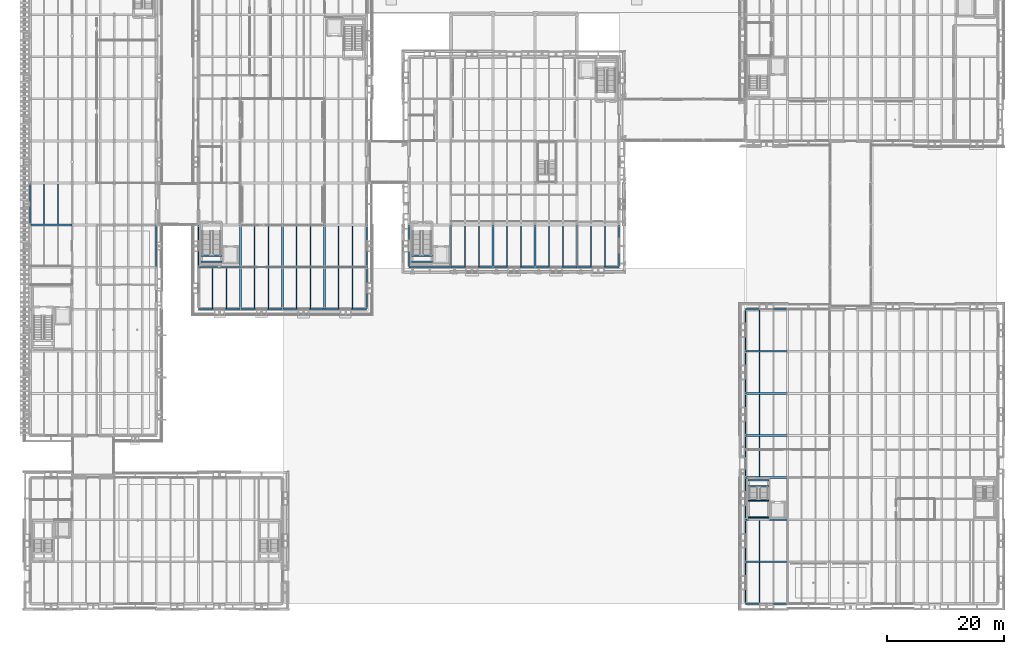
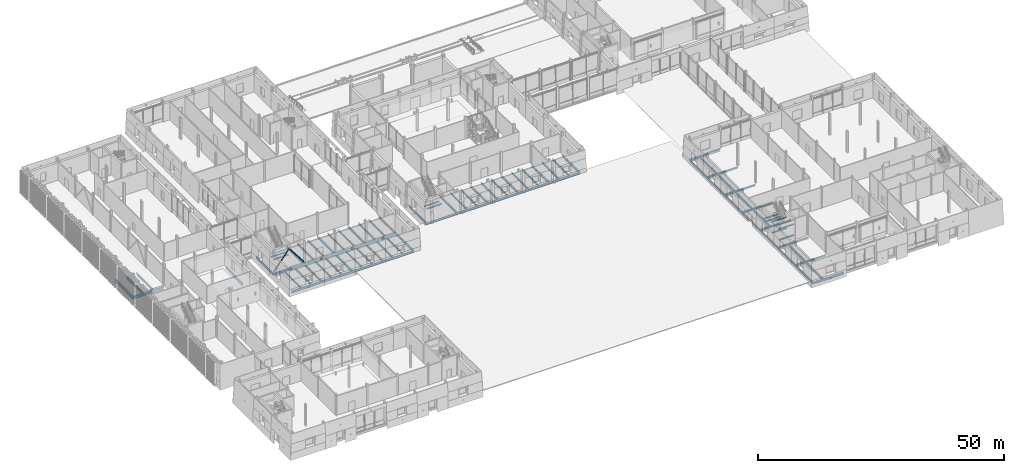
# One storey, part 24 of 120: 86 beams, 2 members.
"""IFC4 building model written with IfcOpenShell, lengths in metres."""

from ifc_helpers import new_model, si_unit, direction, frame, origin, origin_2d, place, context, subcontext, project, spatial, hollow_circle, i_section, extrude, material, material_profile, profile_set, type_object, element, save


model = new_model("IFC4")

# Units and contexts
model_context = context("Model", 3, precision=1e-05, world=origin(), true_north=direction((0.0, 1.0)))
body_context = subcontext(model_context, "Body", "Model", "MODEL_VIEW")
ifc_project = project(units=[si_unit("LENGTHUNIT", "METRE"), si_unit("AREAUNIT", "SQUARE_METRE"), si_unit("VOLUMEUNIT", "CUBIC_METRE"), si_unit("PLANEANGLEUNIT", "RADIAN"), si_unit("MASSUNIT", "GRAM", prefix="KILO")], contexts=[model_context])

# Site, building, storey
site_placement = place(None, origin())
site = spatial("IfcSite", under=ifc_project, at=site_placement, CompositionType="ELEMENT")
building_placement = place(site_placement, origin())
building = spatial("IfcBuilding", under=site, at=building_placement, Name="Narikvali Park Central Library", CompositionType="ELEMENT")
storey_placement = place(building_placement, origin())
storey = spatial("IfcBuildingStorey", under=building, at=storey_placement, Name="L00", CompositionType="ELEMENT", Elevation=0.0)

# Beams
ifc_material = material(Name="Steel S355", Category="steel")
ifc_material_profile_1 = material_profile(ifc_material, i_section(OverallWidth=0.2099609375, OverallDepth=0.550048828125, WebThickness=0.010986328125, FlangeThickness=0.01708984375, FilletRadius=0.02392578125, at=origin_2d()), Name="IPE 550")
ifc_profile_set_1 = profile_set([ifc_material_profile_1], Name="Steel S355")
beam_type_1 = type_object("IfcBeamType", Name="Assembly Floor Joist IPE550", PredefinedType="JOIST", material=ifc_profile_set_1)
beam_1_placement = place(storey_placement, frame((124.800048828125, 0.10498046875, -0.594970703125), z_axis=(0.0, 1.0, 0.0), x_axis=(-1.0, 0.0, 0.0)))
element("IfcBeam", 1, at=beam_1_placement, inside=storey, type_object=beam_type_1, Name="V6 L00 Composite Joist 1", PredefinedType="JOIST", context=body_context, shape_type="SweptSolid", body=[
    extrude(i_section(OverallWidth=0.2099609375, OverallDepth=0.550048828125, WebThickness=0.010986328125, FlangeThickness=0.01708984375, FilletRadius=0.02392578125, at=origin_2d()), origin(), (0.0, 0.0, 1.0), 6.945068359375),
])
for number, where, z_axis, x_axis, name in (
    (2, (124.800048828125, 7.35009765625, -0.594970703125), (0.0, 1.0, 0.0), (-1.0, 0.0, 0.0), "V6 L00 Composite Joist 1"),
    (3, (124.800048828125, 21.75, -0.594970703125), (0.0, 1.0, 0.0), (-1.0, 0.0, 0.0), "V6 L00 Composite Joist 1"),
):
    element("IfcBeam", number, at=place(storey_placement, frame(where, z_axis=z_axis, x_axis=x_axis)), inside=storey, type_object=beam_type_1, Name=name, PredefinedType="JOIST", context=body_context, shape_type="SweptSolid", body=[
        extrude(i_section(OverallWidth=0.2099609375, OverallDepth=0.550048828125, WebThickness=0.010986328125, FlangeThickness=0.01708984375, FilletRadius=0.02392578125, at=origin_2d()), origin(), (0.0, 0.0, 1.0), 6.89990234375),
    ])
for number, where, z_axis, x_axis, name in (
    (4, (124.800048828125, 28.949951171875, -0.594970703125), (0.0, 1.0, 0.0), (-1.0, 0.0, 0.0), "V6 L00 Composite Joist 1"),
    (5, (124.800048828125, 36.14990234375, -0.594970703125), (0.0, 1.0, 0.0), (-1.0, 0.0, 0.0), "V6 L00 Composite Joist 1"),
):
    element("IfcBeam", number, at=place(storey_placement, frame(where, z_axis=z_axis, x_axis=x_axis)), inside=storey, type_object=beam_type_1, Name=name, PredefinedType="JOIST", context=body_context, shape_type="SweptSolid", body=[
        extrude(i_section(OverallWidth=0.2099609375, OverallDepth=0.550048828125, WebThickness=0.010986328125, FlangeThickness=0.01708984375, FilletRadius=0.02392578125, at=origin_2d()), origin(), (0.0, 0.0, 1.0), 6.900146484375),
    ])
beam_2_placement = place(storey_placement, frame((124.800048828125, 43.35009765625, -0.594970703125), z_axis=(0.0, 1.0, 0.0), x_axis=(-1.0, 0.0, 0.0)))
element("IfcBeam", 6, at=beam_2_placement, inside=storey, type_object=beam_type_1, Name="V6 L00 Composite Joist 1", PredefinedType="JOIST", context=body_context, shape_type="SweptSolid", body=[
    extrude(i_section(OverallWidth=0.2099609375, OverallDepth=0.550048828125, WebThickness=0.010986328125, FlangeThickness=0.01708984375, FilletRadius=0.02392578125, at=origin_2d()), origin(), (0.0, 0.0, 1.0), 6.94482421875),
])
ifc_material_profile_2 = material_profile(ifc_material, i_section(OverallWidth=0.219970703125, OverallDepth=0.60009765625, WebThickness=0.011962890625, FlangeThickness=0.01904296875, FilletRadius=0.02392578125, at=origin_2d()), Name="IPE 600")
ifc_profile_set_2 = profile_set([ifc_material_profile_2], Name="Steel S355")
beam_type_2 = type_object("IfcBeamType", Name="Compact Archive Joist IPE600", PredefinedType="JOIST", material=ifc_profile_set_2)
for number, where, z_axis, x_axis, name in (
    (7, (2.39990234375, 64.949951171875, -0.6201171875), (0.0, 1.0, 0.0), (-1.0, 0.0, 0.0), "V5 L00 Composite Joist 1"),
    (8, (4.800048828125, 64.949951171875, -0.6201171875), (0.0, 1.0, 0.0), (-1.0, 0.0, 0.0), "V5 L00 Composite Joist 2"),
):
    element("IfcBeam", number, at=place(storey_placement, frame(where, z_axis=z_axis, x_axis=x_axis)), inside=storey, type_object=beam_type_2, Name=name, PredefinedType="JOIST", context=body_context, shape_type="SweptSolid", body=[
        extrude(i_section(OverallWidth=0.219970703125, OverallDepth=0.60009765625, WebThickness=0.011962890625, FlangeThickness=0.01904296875, FilletRadius=0.02392578125, at=origin_2d()), origin(), (0.0, 0.0, 1.0), 6.900146484375),
    ])
ifc_material_profile_3 = material_profile(ifc_material, i_section(OverallWidth=0.18994140625, OverallDepth=0.449951171875, WebThickness=0.009521484375, FlangeThickness=0.0146484375, FilletRadius=0.02099609375, at=origin_2d()), Name="IPE 450")
ifc_profile_set_3 = profile_set([ifc_material_profile_3], Name="Steel S355")
beam_type_3 = type_object("IfcBeamType", Name="Composite Floor Joist IPE450", PredefinedType="JOIST", material=ifc_profile_set_3)
for number, where, z_axis, x_axis, name in (
    (9, (31.199951171875, 50.5048828125, -0.544921875), (0.0, 1.0, 0.0), (-1.0, 0.0, 0.0), "V4 L00 Composite Joist 1"),
    (10, (33.60009765625, 50.5048828125, -0.544921875), (0.0, 1.0, 0.0), (-1.0, 0.0, 0.0), "V4 L00 Composite Joist 2"),
    (11, (38.39990234375, 50.5048828125, -0.544921875), (0.0, 1.0, 0.0), (-1.0, 0.0, 0.0), "V4 L00 Composite Joist 1"),
    (12, (40.800048828125, 50.5048828125, -0.544921875), (0.0, 1.0, 0.0), (-1.0, 0.0, 0.0), "V4 L00 Composite Joist 2"),
):
    element("IfcBeam", number, at=place(storey_placement, frame(where, z_axis=z_axis, x_axis=x_axis)), inside=storey, type_object=beam_type_3, Name=name, PredefinedType="JOIST", context=body_context, shape_type="SweptSolid", body=[
        extrude(i_section(OverallWidth=0.18994140625, OverallDepth=0.449951171875, WebThickness=0.009521484375, FlangeThickness=0.0146484375, FilletRadius=0.02099609375, at=origin_2d()), origin(), (0.0, 0.0, 1.0), 6.945068359375),
    ])
for number, where, z_axis, x_axis, name in (
    (13, (38.39990234375, 57.75, -0.544921875), (0.0, 1.0, 0.0), (-1.0, 0.0, 0.0), "V4 L00 Composite Joist 1"),
    (14, (40.800048828125, 57.75, -0.544921875), (0.0, 1.0, 0.0), (-1.0, 0.0, 0.0), "V4 L00 Composite Joist 2"),
):
    element("IfcBeam", number, at=place(storey_placement, frame(where, z_axis=z_axis, x_axis=x_axis)), inside=storey, type_object=beam_type_3, Name=name, PredefinedType="JOIST", context=body_context, shape_type="SweptSolid", body=[
        extrude(i_section(OverallWidth=0.18994140625, OverallDepth=0.449951171875, WebThickness=0.009521484375, FlangeThickness=0.0146484375, FilletRadius=0.02099609375, at=origin_2d()), origin(), (0.0, 0.0, 1.0), 6.89990234375),
    ])
for number, where, z_axis, x_axis, name in (
    (15, (45.60009765625, 50.5048828125, -0.544921875), (0.0, 1.0, 0.0), (-1.0, 0.0, 0.0), "V4 L00 Composite Joist 1"),
    (16, (48.0, 50.5048828125, -0.544921875), (0.0, 1.0, 0.0), (-1.0, 0.0, 0.0), "V4 L00 Composite Joist 2"),
):
    element("IfcBeam", number, at=place(storey_placement, frame(where, z_axis=z_axis, x_axis=x_axis)), inside=storey, type_object=beam_type_3, Name=name, PredefinedType="JOIST", context=body_context, shape_type="SweptSolid", body=[
        extrude(i_section(OverallWidth=0.18994140625, OverallDepth=0.449951171875, WebThickness=0.009521484375, FlangeThickness=0.0146484375, FilletRadius=0.02099609375, at=origin_2d()), origin(), (0.0, 0.0, 1.0), 6.945068359375),
    ])
for number, where, z_axis, x_axis, name in (
    (17, (45.60009765625, 57.75, -0.544921875), (0.0, 1.0, 0.0), (-1.0, 0.0, 0.0), "V4 L00 Composite Joist 1"),
    (18, (48.0, 57.75, -0.544921875), (0.0, 1.0, 0.0), (-1.0, 0.0, 0.0), "V4 L00 Composite Joist 2"),
):
    element("IfcBeam", number, at=place(storey_placement, frame(where, z_axis=z_axis, x_axis=x_axis)), inside=storey, type_object=beam_type_3, Name=name, PredefinedType="JOIST", context=body_context, shape_type="SweptSolid", body=[
        extrude(i_section(OverallWidth=0.18994140625, OverallDepth=0.449951171875, WebThickness=0.009521484375, FlangeThickness=0.0146484375, FilletRadius=0.02099609375, at=origin_2d()), origin(), (0.0, 0.0, 1.0), 6.89990234375),
    ])
for number, where, z_axis, x_axis, name in (
    (19, (52.800048828125, 50.5048828125, -0.544921875), (0.0, 1.0, 0.0), (-1.0, 0.0, 0.0), "V4 L00 Composite Joist 1"),
    (20, (55.199951171875, 50.5048828125, -0.544921875), (0.0, 1.0, 0.0), (-1.0, 0.0, 0.0), "V4 L00 Composite Joist 2"),
):
    element("IfcBeam", number, at=place(storey_placement, frame(where, z_axis=z_axis, x_axis=x_axis)), inside=storey, type_object=beam_type_3, Name=name, PredefinedType="JOIST", context=body_context, shape_type="SweptSolid", body=[
        extrude(i_section(OverallWidth=0.18994140625, OverallDepth=0.449951171875, WebThickness=0.009521484375, FlangeThickness=0.0146484375, FilletRadius=0.02099609375, at=origin_2d()), origin(), (0.0, 0.0, 1.0), 6.945068359375),
    ])
for number, where, z_axis, x_axis, name in (
    (21, (52.800048828125, 57.75, -0.544921875), (0.0, 1.0, 0.0), (-1.0, 0.0, 0.0), "V4 L00 Composite Joist 1"),
    (22, (55.199951171875, 57.75, -0.544921875), (0.0, 1.0, 0.0), (-1.0, 0.0, 0.0), "V4 L00 Composite Joist 2"),
):
    element("IfcBeam", number, at=place(storey_placement, frame(where, z_axis=z_axis, x_axis=x_axis)), inside=storey, type_object=beam_type_3, Name=name, PredefinedType="JOIST", context=body_context, shape_type="SweptSolid", body=[
        extrude(i_section(OverallWidth=0.18994140625, OverallDepth=0.449951171875, WebThickness=0.009521484375, FlangeThickness=0.0146484375, FilletRadius=0.02099609375, at=origin_2d()), origin(), (0.0, 0.0, 1.0), 6.89990234375),
    ])
ifc_material_profile_4 = material_profile(ifc_material, i_section(OverallWidth=0.19189453125, OverallDepth=0.4560546875, WebThickness=0.010986328125, FlangeThickness=0.017578125, FilletRadius=0.02099609375, at=origin_2d()), Name="IPEO 450")
ifc_profile_set_4 = profile_set([ifc_material_profile_4], Name="Steel S355")
beam_type_4 = type_object("IfcBeamType", Name="Concourse Floor Joist IPEO450", PredefinedType="JOIST", material=ifc_profile_set_4)
for number, where, z_axis, x_axis, name in (
    (23, (74.39990234375, 57.705078125, -0.548095703125), (0.0, 1.0, 0.0), (-1.0, 0.0, 0.0), "V1 L00 Composite Joist 1"),
    (24, (76.800048828125, 57.705078125, -0.548095703125), (0.0, 1.0, 0.0), (-1.0, 0.0, 0.0), "V1 L00 Composite Joist 2"),
    (25, (81.60009765625, 57.705078125, -0.548095703125), (0.0, 1.0, 0.0), (-1.0, 0.0, 0.0), "V1 L00 Composite Joist 1"),
    (26, (84.0, 57.705078125, -0.548095703125), (0.0, 1.0, 0.0), (-1.0, 0.0, 0.0), "V1 L00 Composite Joist 2"),
    (27, (88.800048828125, 57.705078125, -0.548095703125), (0.0, 1.0, 0.0), (-1.0, 0.0, 0.0), "V1 L00 Composite Joist 1"),
    (28, (91.199951171875, 57.705078125, -0.548095703125), (0.0, 1.0, 0.0), (-1.0, 0.0, 0.0), "V1 L00 Composite Joist 2"),
    (29, (96.0, 57.705078125, -0.548095703125), (0.0, 1.0, 0.0), (-1.0, 0.0, 0.0), "V1 L00 Composite Joist 1"),
    (30, (98.39990234375, 57.705078125, -0.548095703125), (0.0, 1.0, 0.0), (-1.0, 0.0, 0.0), "V1 L00 Composite Joist 2"),
):
    element("IfcBeam", number, at=place(storey_placement, frame(where, z_axis=z_axis, x_axis=x_axis)), inside=storey, type_object=beam_type_4, Name=name, PredefinedType="JOIST", context=body_context, shape_type="SweptSolid", body=[
        extrude(i_section(OverallWidth=0.19189453125, OverallDepth=0.4560546875, WebThickness=0.010986328125, FlangeThickness=0.017578125, FilletRadius=0.02099609375, at=origin_2d()), origin(), (0.0, 0.0, 1.0), 6.94482421875),
    ])
ifc_material_profile_5 = material_profile(ifc_material, i_section(OverallWidth=0.239990234375, OverallDepth=0.239990234375, WebThickness=0.010009765625, FlangeThickness=0.01708984375, FilletRadius=0.02099609375, at=origin_2d()), Name="HEB 240")
ifc_profile_set_5 = profile_set([ifc_material_profile_5], Name="Steel S355")
beam_type_5 = type_object("IfcBeamType", Name="Core Trimmer Girder HEB240", PredefinedType="BEAM", material=ifc_profile_set_5)
for number, where, z_axis, x_axis, name in (
    (31, (29.27001953125, 58.52001953125, 2.3798828125), (1.0, 0.0, 0.0), (0.0, 1.0, 0.0), "ST-07 L00 Landing Trimmer Beam 1-1"),
    (32, (29.27001953125, 59.5400390625, 2.3798828125), (1.0, 0.0, 0.0), (0.0, 1.0, 0.0), "ST-07 L00 Landing Trimmer Beam 1-2"),
):
    element("IfcBeam", number, at=place(storey_placement, frame(where, z_axis=z_axis, x_axis=x_axis)), inside=storey, type_object=beam_type_5, Name=name, PredefinedType="BEAM", context=body_context, shape_type="SweptSolid", body=[
        extrude(i_section(OverallWidth=0.239990234375, OverallDepth=0.239990234375, WebThickness=0.010009765625, FlangeThickness=0.01708984375, FilletRadius=0.02099609375, at=origin_2d()), origin(), (0.0, 0.0, 1.0), 3.56005859375),
    ])
for number, where, z_axis, x_axis, name in (
    (33, (122.8701171875, 14.77001953125, 3.72998046875), (1.0, 0.0, 0.0), (0.0, 1.0, 0.0), "ST-11 L00 Landing Trimmer Beam 3-1"),
    (34, (122.8701171875, 17.68505859375, 3.72998046875), (1.0, 0.0, 0.0), (0.0, 1.0, 0.0), "ST-11 L00 Landing Trimmer Beam 3-2"),
):
    element("IfcBeam", number, at=place(storey_placement, frame(where, z_axis=z_axis, x_axis=x_axis)), inside=storey, type_object=beam_type_5, Name=name, PredefinedType="BEAM", context=body_context, shape_type="SweptSolid", body=[
        extrude(i_section(OverallWidth=0.239990234375, OverallDepth=0.239990234375, WebThickness=0.010009765625, FlangeThickness=0.01708984375, FilletRadius=0.02099609375, at=origin_2d()), origin(), (0.0, 0.0, 1.0), 3.559814453125),
    ])
ifc_material_profile_6 = material_profile(ifc_material, i_section(OverallWidth=0.260009765625, OverallDepth=0.260009765625, WebThickness=0.010009765625, FlangeThickness=0.017578125, FilletRadius=0.02392578125, at=origin_2d()), Name="HEB 260")
ifc_profile_set_6 = profile_set([ifc_material_profile_6], Name="Steel S355")
beam_type_6 = type_object("IfcBeamType", Name="Core Trimmer Girder HEB260", PredefinedType="BEAM", material=ifc_profile_set_6)
for number, where, z_axis, x_axis, name in (
    (35, (65.27001953125, 58.52001953125, 2.3701171875), (1.0, 0.0, 0.0), (0.0, 1.0, 0.0), "ST-01 L00 Landing Trimmer Beam 1-1"),
    (36, (65.27001953125, 59.5400390625, 2.3701171875), (1.0, 0.0, 0.0), (0.0, 1.0, 0.0), "ST-01 L00 Landing Trimmer Beam 1-2"),
):
    element("IfcBeam", number, at=place(storey_placement, frame(where, z_axis=z_axis, x_axis=x_axis)), inside=storey, type_object=beam_type_6, Name=name, PredefinedType="BEAM", context=body_context, shape_type="SweptSolid", body=[
        extrude(i_section(OverallWidth=0.260009765625, OverallDepth=0.260009765625, WebThickness=0.010009765625, FlangeThickness=0.017578125, FilletRadius=0.02392578125, at=origin_2d()), origin(), (0.0, 0.0, 1.0), 3.56005859375),
    ])
for number, where, z_axis, x_axis, name in (
    (37, (122.8701171875, 20.1201171875, 2.3701171875), (1.0, 0.0, 0.0), (0.0, 1.0, 0.0), "ST-11 L00 Landing Trimmer Beam 2-1"),
    (38, (122.8701171875, 21.1298828125, 2.3701171875), (1.0, 0.0, 0.0), (0.0, 1.0, 0.0), "ST-11 L00 Landing Trimmer Beam 2-2"),
):
    element("IfcBeam", number, at=place(storey_placement, frame(where, z_axis=z_axis, x_axis=x_axis)), inside=storey, type_object=beam_type_6, Name=name, PredefinedType="BEAM", context=body_context, shape_type="SweptSolid", body=[
        extrude(i_section(OverallWidth=0.260009765625, OverallDepth=0.260009765625, WebThickness=0.010009765625, FlangeThickness=0.017578125, FilletRadius=0.02392578125, at=origin_2d()), origin(), (0.0, 0.0, 1.0), 3.559814453125),
    ])
ifc_material_profile_7 = material_profile(ifc_material, i_section(OverallWidth=0.280029296875, OverallDepth=0.280029296875, WebThickness=0.010498046875, FlangeThickness=0.01806640625, FilletRadius=0.02392578125, at=origin_2d()), Name="HEB 280")
ifc_profile_set_7 = profile_set([ifc_material_profile_7], Name="Steel S355")
beam_type_7 = type_object("IfcBeamType", Name="Core Trimmer Girder HEB280", PredefinedType="BEAM", material=ifc_profile_set_7)
for number, where, z_axis, x_axis, name in (
    (39, (122.8701171875, 14.77001953125, 1.010009765625), (1.0, 0.0, 0.0), (0.0, 1.0, 0.0), "ST-11 L00 Landing Trimmer Beam 1-1"),
    (40, (122.8701171875, 17.68505859375, 1.010009765625), (1.0, 0.0, 0.0), (0.0, 1.0, 0.0), "ST-11 L00 Landing Trimmer Beam 1-2"),
):
    element("IfcBeam", number, at=place(storey_placement, frame(where, z_axis=z_axis, x_axis=x_axis)), inside=storey, type_object=beam_type_7, Name=name, PredefinedType="BEAM", context=body_context, shape_type="SweptSolid", body=[
        extrude(i_section(OverallWidth=0.280029296875, OverallDepth=0.280029296875, WebThickness=0.010498046875, FlangeThickness=0.01806640625, FilletRadius=0.02392578125, at=origin_2d()), origin(), (0.0, 0.0, 1.0), 3.559814453125),
    ])
ifc_material_profile_8 = material_profile(ifc_material, i_section(OverallWidth=0.300048828125, OverallDepth=0.64990234375, WebThickness=0.01611328125, FlangeThickness=0.031005859375, FilletRadius=0.027099609375, at=origin_2d()), Name="HEB 650")
ifc_profile_set_8 = profile_set([ifc_material_profile_8], Name="Steel S355")
beam_type_8 = type_object("IfcBeamType", Name="Dome Tension Ring Beam HEB650", PredefinedType="BEAM", material=ifc_profile_set_8)
beam_3_placement = place(storey_placement, frame((0.008056640625, 64.800048828125, -0.64501953125), z_axis=(1.0, 0.0, 0.0), x_axis=(0.0, 1.0, 0.0)))
element("IfcBeam", 41, at=beam_3_placement, inside=storey, type_object=beam_type_8, Name="V5 L00 Girder X", PredefinedType="BEAM", context=body_context, shape_type="SweptSolid", body=[
    extrude(i_section(OverallWidth=0.300048828125, OverallDepth=0.64990234375, WebThickness=0.01611328125, FlangeThickness=0.031005859375, FilletRadius=0.027099609375, at=origin_2d()), origin(), (0.0, 0.0, 1.0), 7.183837890625),
])
ifc_material_profile_9 = material_profile(ifc_material, i_section(OverallWidth=0.264892578125, OverallDepth=0.7529296875, WebThickness=0.01318359375, FlangeThickness=0.01708984375, FilletRadius=0.01708984375, at=origin_2d()), Name="IPE 750x147")
ifc_profile_set_9 = profile_set([ifc_material_profile_9], Name="Steel S355")
beam_type_9 = type_object("IfcBeamType", Name="Fin Facade Spandrel IPE750", PredefinedType="SPANDREL", material=ifc_profile_set_9)
beam_4_placement = place(storey_placement, frame((0.0, 64.80810546875, -0.696533203125), z_axis=(0.0, 1.0, 0.0), x_axis=(-1.0, 0.0, 0.0)))
element("IfcBeam", 42, at=beam_4_placement, inside=storey, type_object=beam_type_9, Name="V5 L00 Girder Y", PredefinedType="SPANDREL", context=body_context, shape_type="SweptSolid", body=[
    extrude(i_section(OverallWidth=0.264892578125, OverallDepth=0.7529296875, WebThickness=0.01318359375, FlangeThickness=0.01708984375, FilletRadius=0.01708984375, at=origin_2d()), origin(), (0.0, 0.0, 1.0), 7.183837890625),
])
ifc_material_profile_10 = material_profile(ifc_material, i_section(OverallWidth=0.300048828125, OverallDepth=0.39990234375, WebThickness=0.013427734375, FlangeThickness=0.02392578125, FilletRadius=0.027099609375, at=origin_2d()), Name="HEB 400")
ifc_profile_set_10 = profile_set([ifc_material_profile_10], Name="Steel S355")
beam_type_10 = type_object("IfcBeamType", Name="Gallery Framing Girder HEB400", PredefinedType="BEAM", material=ifc_profile_set_10)
for number, where, z_axis, x_axis, name in (
    (43, (122.407958984375, 7.199951171875, -0.52001953125), (1.0, 0.0, 0.0), (0.0, 1.0, 0.0), "V6 L00 Girder X"),
    (44, (122.407958984375, 14.39990234375, -0.52001953125), (1.0, 0.0, 0.0), (0.0, 1.0, 0.0), "V6 L00 Girder X"),
    (45, (122.407958984375, 21.60009765625, -0.52001953125), (1.0, 0.0, 0.0), (0.0, 1.0, 0.0), "V6 L00 Girder X"),
    (46, (122.407958984375, 28.800048828125, -0.52001953125), (1.0, 0.0, 0.0), (0.0, 1.0, 0.0), "V6 L00 Girder X"),
    (47, (122.407958984375, 36.0, -0.52001953125), (1.0, 0.0, 0.0), (0.0, 1.0, 0.0), "V6 L00 Girder X"),
    (48, (122.407958984375, 43.199951171875, -0.52001953125), (1.0, 0.0, 0.0), (0.0, 1.0, 0.0), "V6 L00 Girder X"),
):
    element("IfcBeam", number, at=place(storey_placement, frame(where, z_axis=z_axis, x_axis=x_axis)), inside=storey, type_object=beam_type_10, Name=name, PredefinedType="BEAM", context=body_context, shape_type="SweptSolid", body=[
        extrude(i_section(OverallWidth=0.300048828125, OverallDepth=0.39990234375, WebThickness=0.013427734375, FlangeThickness=0.02392578125, FilletRadius=0.027099609375, at=origin_2d()), origin(), (0.0, 0.0, 1.0), 7.18408203125),
    ])

# Members
ifc_material_profile_11 = material_profile(ifc_material, hollow_circle(Radius=0.149169921875, WallThickness=0.012451171875, at=origin_2d()), Name="CHS 298.5x12.5")
ifc_profile_set_11 = profile_set([ifc_material_profile_11], Name="Steel S355")
member_type = type_object("IfcMemberType", Name="Ground Chevron Brace CHS298", PredefinedType="BRACE", material=ifc_profile_set_11)
member_1_placement = place(storey_placement, frame((28.81494140625, 57.60009765625, 0.014892578125), z_axis=(0.61593947973, 0.0, 0.787793473767), x_axis=(0.0, 1.0, 0.0)))
element("IfcMember", 49, at=member_1_placement, inside=storey, type_object=member_type, Name="V4 L00 Seismic Chevron Brace A", PredefinedType="BRACE", context=body_context, shape_type="SweptSolid", body=[
    extrude(hollow_circle(Radius=0.149169921875, WallThickness=0.012451171875, at=origin_2d()), origin(), (0.0, 0.0, 1.0), 5.8203125),
])
member_2_placement = place(storey_placement, frame((35.985107421875, 57.60009765625, 0.014892578125), z_axis=(-0.615965511373, 0.0, 0.78777312013), x_axis=(0.0, -1.0, 0.0)))
element("IfcMember", 50, at=member_2_placement, inside=storey, type_object=member_type, Name="V4 L00 Seismic Chevron Brace B", PredefinedType="BRACE", context=body_context, shape_type="SweptSolid", body=[
    extrude(hollow_circle(Radius=0.149169921875, WallThickness=0.012451171875, at=origin_2d()), origin(), (0.0, 0.0, 1.0), 5.820556640625),
])

# Beams
ifc_material_profile_12 = material_profile(ifc_material, i_section(OverallWidth=0.2099609375, OverallDepth=0.550048828125, WebThickness=0.010986328125, FlangeThickness=0.01708984375, FilletRadius=0.02392578125, at=origin_2d()), Name="IPE 550")
ifc_profile_set_12 = profile_set([ifc_material_profile_12], Name="Steel S355")
beam_type_11 = type_object("IfcBeamType", Name="Perimeter Spandrel IPE550", PredefinedType="SPANDREL", material=ifc_profile_set_12)
for number, where, z_axis, x_axis, name in (
    (51, (64.80810546875, 57.60009765625, -0.594970703125), (1.0, 0.0, 0.0), (0.0, 1.0, 0.0), "V1 L00 Girder X"),
    (52, (72.008056640625, 57.60009765625, -0.594970703125), (1.0, 0.0, 0.0), (0.0, 1.0, 0.0), "V1 L00 Girder X"),
):
    element("IfcBeam", number, at=place(storey_placement, frame(where, z_axis=z_axis, x_axis=x_axis)), inside=storey, type_object=beam_type_11, Name=name, PredefinedType="SPANDREL", context=body_context, shape_type="SweptSolid", body=[
        extrude(i_section(OverallWidth=0.2099609375, OverallDepth=0.550048828125, WebThickness=0.010986328125, FlangeThickness=0.01708984375, FilletRadius=0.02392578125, at=origin_2d()), origin(), (0.0, 0.0, 1.0), 7.183837890625),
    ])
for number, where, z_axis, x_axis, name in (
    (53, (79.2080078125, 57.60009765625, -0.594970703125), (1.0, 0.0, 0.0), (0.0, 1.0, 0.0), "V1 L00 Girder X"),
    (54, (86.407958984375, 57.60009765625, -0.594970703125), (1.0, 0.0, 0.0), (0.0, 1.0, 0.0), "V1 L00 Girder X"),
    (55, (93.60791015625, 57.60009765625, -0.594970703125), (1.0, 0.0, 0.0), (0.0, 1.0, 0.0), "V1 L00 Girder X"),
    (56, (64.800048828125, 57.60791015625, -0.594970703125), (0.0, 1.0, 0.0), (-1.0, 0.0, 0.0), "V1 L00 Girder Y"),
    (57, (100.800048828125, 57.60791015625, -0.594970703125), (0.0, 1.0, 0.0), (-1.0, 0.0, 0.0), "V1 L00 Girder Y"),
):
    element("IfcBeam", number, at=place(storey_placement, frame(where, z_axis=z_axis, x_axis=x_axis)), inside=storey, type_object=beam_type_11, Name=name, PredefinedType="SPANDREL", context=body_context, shape_type="SweptSolid", body=[
        extrude(i_section(OverallWidth=0.2099609375, OverallDepth=0.550048828125, WebThickness=0.010986328125, FlangeThickness=0.01708984375, FilletRadius=0.02392578125, at=origin_2d()), origin(), (0.0, 0.0, 1.0), 7.18408203125),
    ])
for number, where, z_axis, x_axis, name in (
    (58, (28.80810546875, 50.39990234375, -0.594970703125), (1.0, 0.0, 0.0), (0.0, 1.0, 0.0), "V4 L00 Girder X"),
    (59, (36.008056640625, 50.39990234375, -0.594970703125), (1.0, 0.0, 0.0), (0.0, 1.0, 0.0), "V4 L00 Girder X"),
):
    element("IfcBeam", number, at=place(storey_placement, frame(where, z_axis=z_axis, x_axis=x_axis)), inside=storey, type_object=beam_type_11, Name=name, PredefinedType="SPANDREL", context=body_context, shape_type="SweptSolid", body=[
        extrude(i_section(OverallWidth=0.2099609375, OverallDepth=0.550048828125, WebThickness=0.010986328125, FlangeThickness=0.01708984375, FilletRadius=0.02392578125, at=origin_2d()), origin(), (0.0, 0.0, 1.0), 7.183837890625),
    ])
for number, where, z_axis, x_axis, name in (
    (60, (43.2080078125, 50.39990234375, -0.594970703125), (1.0, 0.0, 0.0), (0.0, 1.0, 0.0), "V4 L00 Girder X"),
    (61, (50.407958984375, 50.39990234375, -0.594970703125), (1.0, 0.0, 0.0), (0.0, 1.0, 0.0), "V4 L00 Girder X"),
    (62, (28.800048828125, 57.60791015625, -0.594970703125), (0.0, 1.0, 0.0), (-1.0, 0.0, 0.0), "V4 L00 Girder Y"),
    (63, (57.60009765625, 50.407958984375, -0.594970703125), (0.0, 1.0, 0.0), (-1.0, 0.0, 0.0), "V4 L00 Girder Y"),
    (64, (57.60009765625, 57.60791015625, -0.594970703125), (0.0, 1.0, 0.0), (-1.0, 0.0, 0.0), "V4 L00 Girder Y"),
    (65, (122.407958984375, 0.0, -0.594970703125), (1.0, 0.0, 0.0), (0.0, 1.0, 0.0), "V6 L00 Girder X"),
    (66, (122.407958984375, 50.39990234375, -0.594970703125), (1.0, 0.0, 0.0), (0.0, 1.0, 0.0), "V6 L00 Girder X"),
):
    element("IfcBeam", number, at=place(storey_placement, frame(where, z_axis=z_axis, x_axis=x_axis)), inside=storey, type_object=beam_type_11, Name=name, PredefinedType="SPANDREL", context=body_context, shape_type="SweptSolid", body=[
        extrude(i_section(OverallWidth=0.2099609375, OverallDepth=0.550048828125, WebThickness=0.010986328125, FlangeThickness=0.01708984375, FilletRadius=0.02392578125, at=origin_2d()), origin(), (0.0, 0.0, 1.0), 7.18408203125),
    ])
beam_5_placement = place(storey_placement, frame((122.39990234375, 0.008056640625, -0.594970703125), z_axis=(0.0, 1.0, 0.0), x_axis=(-1.0, 0.0, 0.0)))
element("IfcBeam", 67, at=beam_5_placement, inside=storey, type_object=beam_type_11, Name="V6 L00 Girder Y", PredefinedType="SPANDREL", context=body_context, shape_type="SweptSolid", body=[
    extrude(i_section(OverallWidth=0.2099609375, OverallDepth=0.550048828125, WebThickness=0.010986328125, FlangeThickness=0.01708984375, FilletRadius=0.02392578125, at=origin_2d()), origin(), (0.0, 0.0, 1.0), 7.183837890625),
])
for number, where, z_axis, x_axis, name in (
    (68, (122.39990234375, 7.2080078125, -0.594970703125), (0.0, 1.0, 0.0), (-1.0, 0.0, 0.0), "V6 L00 Girder Y"),
    (69, (122.39990234375, 14.407958984375, -0.594970703125), (0.0, 1.0, 0.0), (-1.0, 0.0, 0.0), "V6 L00 Girder Y"),
    (70, (122.39990234375, 21.60791015625, -0.594970703125), (0.0, 1.0, 0.0), (-1.0, 0.0, 0.0), "V6 L00 Girder Y"),
):
    element("IfcBeam", number, at=place(storey_placement, frame(where, z_axis=z_axis, x_axis=x_axis)), inside=storey, type_object=beam_type_11, Name=name, PredefinedType="SPANDREL", context=body_context, shape_type="SweptSolid", body=[
        extrude(i_section(OverallWidth=0.2099609375, OverallDepth=0.550048828125, WebThickness=0.010986328125, FlangeThickness=0.01708984375, FilletRadius=0.02392578125, at=origin_2d()), origin(), (0.0, 0.0, 1.0), 7.18408203125),
    ])
for number, where, z_axis, x_axis, name in (
    (71, (122.39990234375, 28.80810546875, -0.594970703125), (0.0, 1.0, 0.0), (-1.0, 0.0, 0.0), "V6 L00 Girder Y"),
    (72, (122.39990234375, 36.008056640625, -0.594970703125), (0.0, 1.0, 0.0), (-1.0, 0.0, 0.0), "V6 L00 Girder Y"),
):
    element("IfcBeam", number, at=place(storey_placement, frame(where, z_axis=z_axis, x_axis=x_axis)), inside=storey, type_object=beam_type_11, Name=name, PredefinedType="SPANDREL", context=body_context, shape_type="SweptSolid", body=[
        extrude(i_section(OverallWidth=0.2099609375, OverallDepth=0.550048828125, WebThickness=0.010986328125, FlangeThickness=0.01708984375, FilletRadius=0.02392578125, at=origin_2d()), origin(), (0.0, 0.0, 1.0), 7.183837890625),
    ])
beam_6_placement = place(storey_placement, frame((122.39990234375, 43.2080078125, -0.594970703125), z_axis=(0.0, 1.0, 0.0), x_axis=(-1.0, 0.0, 0.0)))
element("IfcBeam", 73, at=beam_6_placement, inside=storey, type_object=beam_type_11, Name="V6 L00 Girder Y", PredefinedType="SPANDREL", context=body_context, shape_type="SweptSolid", body=[
    extrude(i_section(OverallWidth=0.2099609375, OverallDepth=0.550048828125, WebThickness=0.010986328125, FlangeThickness=0.01708984375, FilletRadius=0.02392578125, at=origin_2d()), origin(), (0.0, 0.0, 1.0), 7.18408203125),
])
ifc_material_profile_13 = material_profile(ifc_material, i_section(OverallWidth=0.219970703125, OverallDepth=0.60009765625, WebThickness=0.011962890625, FlangeThickness=0.01904296875, FilletRadius=0.02392578125, at=origin_2d()), Name="IPE 600")
ifc_profile_set_13 = profile_set([ifc_material_profile_13], Name="Steel S355")
beam_type_12 = type_object("IfcBeamType", Name="Perimeter Spandrel IPE600", PredefinedType="SPANDREL", material=ifc_profile_set_13)
beam_7_placement = place(storey_placement, frame((21.60009765625, 57.60791015625, -0.6201171875), z_axis=(0.0, 1.0, 0.0), x_axis=(-1.0, 0.0, 0.0)))
element("IfcBeam", 74, at=beam_7_placement, inside=storey, type_object=beam_type_12, Name="V5 L00 Girder Y", PredefinedType="SPANDREL", context=body_context, shape_type="SweptSolid", body=[
    extrude(i_section(OverallWidth=0.219970703125, OverallDepth=0.60009765625, WebThickness=0.011962890625, FlangeThickness=0.01904296875, FilletRadius=0.02392578125, at=origin_2d()), origin(), (0.0, 0.0, 1.0), 7.18408203125),
])
ifc_material_profile_14 = material_profile(ifc_material, i_section(OverallWidth=0.300048828125, OverallDepth=0.43994140625, WebThickness=0.011474609375, FlangeThickness=0.02099609375, FilletRadius=0.027099609375, at=origin_2d()), Name="HEA 450")
ifc_profile_set_14 = profile_set([ifc_material_profile_14], Name="Steel S355")
beam_type_13 = type_object("IfcBeamType", Name="Primary Girder HEA450", PredefinedType="BEAM", material=ifc_profile_set_14)
for number, where, z_axis, x_axis, name in (
    (75, (72.0, 57.60791015625, -0.5400390625), (0.0, 1.0, 0.0), (-1.0, 0.0, 0.0), "V1 L00 Girder Y"),
    (76, (79.199951171875, 57.60791015625, -0.5400390625), (0.0, 1.0, 0.0), (-1.0, 0.0, 0.0), "V1 L00 Girder Y"),
    (77, (86.39990234375, 57.60791015625, -0.5400390625), (0.0, 1.0, 0.0), (-1.0, 0.0, 0.0), "V1 L00 Girder Y"),
    (78, (93.60009765625, 57.60791015625, -0.5400390625), (0.0, 1.0, 0.0), (-1.0, 0.0, 0.0), "V1 L00 Girder Y"),
    (79, (36.0, 50.407958984375, -0.5400390625), (0.0, 1.0, 0.0), (-1.0, 0.0, 0.0), "V4 L00 Girder Y"),
    (80, (36.0, 57.60791015625, -0.5400390625), (0.0, 1.0, 0.0), (-1.0, 0.0, 0.0), "V4 L00 Girder Y"),
    (81, (43.199951171875, 50.407958984375, -0.5400390625), (0.0, 1.0, 0.0), (-1.0, 0.0, 0.0), "V4 L00 Girder Y"),
    (82, (43.199951171875, 57.60791015625, -0.5400390625), (0.0, 1.0, 0.0), (-1.0, 0.0, 0.0), "V4 L00 Girder Y"),
    (83, (50.39990234375, 50.407958984375, -0.5400390625), (0.0, 1.0, 0.0), (-1.0, 0.0, 0.0), "V4 L00 Girder Y"),
    (84, (50.39990234375, 57.60791015625, -0.5400390625), (0.0, 1.0, 0.0), (-1.0, 0.0, 0.0), "V4 L00 Girder Y"),
):
    element("IfcBeam", number, at=place(storey_placement, frame(where, z_axis=z_axis, x_axis=x_axis)), inside=storey, type_object=beam_type_13, Name=name, PredefinedType="BEAM", context=body_context, shape_type="SweptSolid", body=[
        extrude(i_section(OverallWidth=0.300048828125, OverallDepth=0.43994140625, WebThickness=0.011474609375, FlangeThickness=0.02099609375, FilletRadius=0.027099609375, at=origin_2d()), origin(), (0.0, 0.0, 1.0), 7.18408203125),
    ])
ifc_material_profile_15 = material_profile(ifc_material, i_section(OverallWidth=0.300048828125, OverallDepth=0.489990234375, WebThickness=0.011962890625, FlangeThickness=0.02294921875, FilletRadius=0.027099609375, at=origin_2d()), Name="HEA 500")
ifc_profile_set_15 = profile_set([ifc_material_profile_15], Name="Steel S355")
beam_type_14 = type_object("IfcBeamType", Name="Primary Girder HEA500", PredefinedType="BEAM", material=ifc_profile_set_15)
for number, where, z_axis, x_axis, name in (
    (85, (28.80810546875, 57.60009765625, -0.56494140625), (1.0, 0.0, 0.0), (0.0, 1.0, 0.0), "V4 L00 Girder X"),
    (86, (36.008056640625, 57.60009765625, -0.56494140625), (1.0, 0.0, 0.0), (0.0, 1.0, 0.0), "V4 L00 Girder X"),
):
    element("IfcBeam", number, at=place(storey_placement, frame(where, z_axis=z_axis, x_axis=x_axis)), inside=storey, type_object=beam_type_14, Name=name, PredefinedType="BEAM", context=body_context, shape_type="SweptSolid", body=[
        extrude(i_section(OverallWidth=0.300048828125, OverallDepth=0.489990234375, WebThickness=0.011962890625, FlangeThickness=0.02294921875, FilletRadius=0.027099609375, at=origin_2d()), origin(), (0.0, 0.0, 1.0), 7.183837890625),
    ])
for number, where, z_axis, x_axis, name in (
    (87, (43.2080078125, 57.60009765625, -0.56494140625), (1.0, 0.0, 0.0), (0.0, 1.0, 0.0), "V4 L00 Girder X"),
    (88, (50.407958984375, 57.60009765625, -0.56494140625), (1.0, 0.0, 0.0), (0.0, 1.0, 0.0), "V4 L00 Girder X"),
):
    element("IfcBeam", number, at=place(storey_placement, frame(where, z_axis=z_axis, x_axis=x_axis)), inside=storey, type_object=beam_type_14, Name=name, PredefinedType="BEAM", context=body_context, shape_type="SweptSolid", body=[
        extrude(i_section(OverallWidth=0.300048828125, OverallDepth=0.489990234375, WebThickness=0.011962890625, FlangeThickness=0.02294921875, FilletRadius=0.027099609375, at=origin_2d()), origin(), (0.0, 0.0, 1.0), 7.18408203125),
    ])

save(model, "model.ifc")
